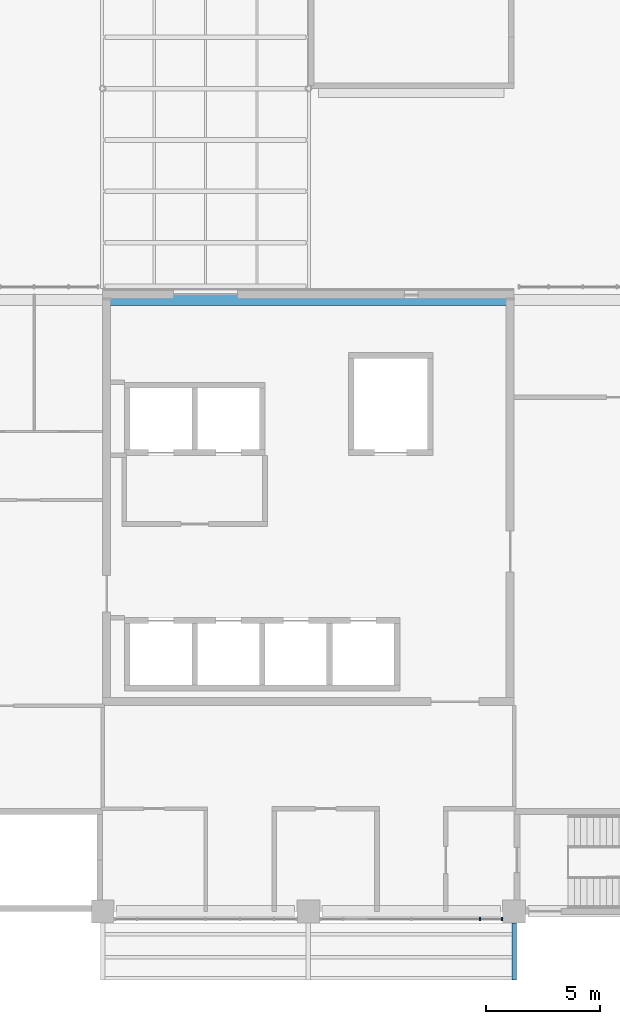
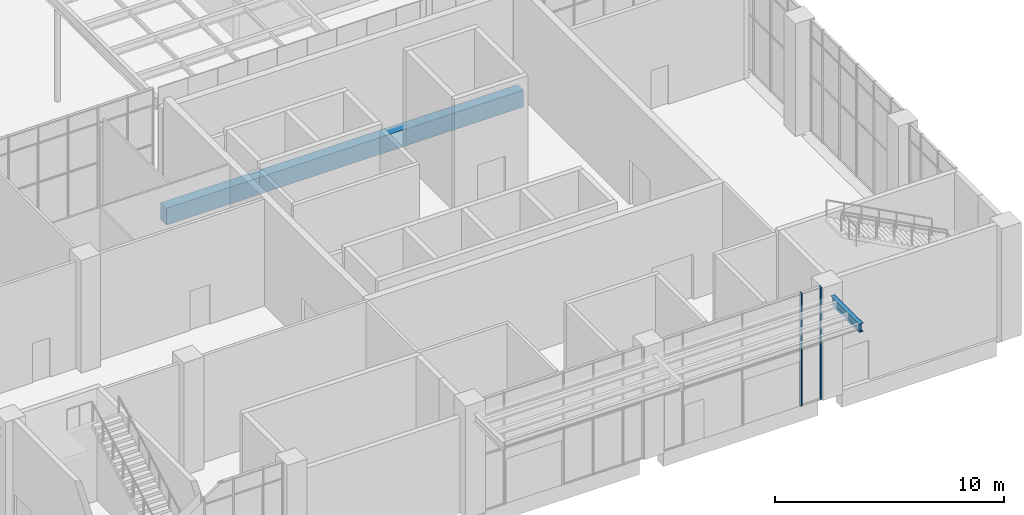
# One storey, part 28 of 86: 2 beams, 2 members, 1 element without a shape of its own.
"""IFC4 building model written with IfcOpenShell, lengths in metres."""

from ifc_helpers import new_model, si_unit, direction, frame, origin, origin_2d, place, context, subcontext, project, spatial, rectangle, i_section, extrude, material, layer, layer_set, material_profile, profile_set, type_object, element, aggregate, save


model = new_model("IFC4")

# Units and contexts
model_context = context("Model", 3, precision=1e-05, world=origin(), true_north=direction((0.0, 1.0)))
body_context = subcontext(model_context, "Body", "Model", "MODEL_VIEW")
ifc_project = project(units=[si_unit("LENGTHUNIT", "METRE"), si_unit("AREAUNIT", "SQUARE_METRE"), si_unit("VOLUMEUNIT", "CUBIC_METRE"), si_unit("PLANEANGLEUNIT", "RADIAN"), si_unit("MASSUNIT", "GRAM", prefix="KILO")], contexts=[model_context])

# Site, building, storey
site_placement = place(None, origin())
site = spatial("IfcSite", under=ifc_project, at=site_placement, CompositionType="ELEMENT")
building_placement = place(site_placement, origin())
building = spatial("IfcBuilding", under=site, at=building_placement, Name="Guidao Yard Department Store", CompositionType="ELEMENT")
storey_placement = place(building_placement, origin())
storey = spatial("IfcBuildingStorey", under=building, at=storey_placement, Name="L00", CompositionType="ELEMENT", Elevation=0.0)

# Beams
ifc_material_1 = material(Name="Concrete C40", Category="concrete")
ifc_material_profile_1 = material_profile(ifc_material_1, rectangle(XDim=0.5, YDim=0.89990234375, at=origin_2d()), Name="Edge beam 500 x 900 C40")
ifc_profile_set_1 = profile_set([ifc_material_profile_1], Name="Concrete C40")
beam_type_1 = type_object("IfcBeamType", Name="Edge beam 500 x 900 C40", PredefinedType="BEAM", material=ifc_profile_set_1)
beam_1_placement = place(storey_placement, frame((144.0, 26.75, -0.449951171875), z_axis=(1.0, 0.0, 0.0), x_axis=(0.0, 1.0, 0.0)))
element("IfcBeam", 1, at=beam_1_placement, inside=storey, type_object=beam_type_1, Name="Beam FB03", PredefinedType="BEAM", context=body_context, shape_type="SweptSolid", body=[
    extrude(rectangle(XDim=0.5, YDim=0.89990234375, at=origin_2d()), origin(), (0.0, 0.0, 1.0), 18.0),
])
ifc_material_2 = material(Name="Steel Q355B", Category="steel")
ifc_material_profile_2 = material_profile(ifc_material_2, i_section(OverallWidth=0.199951171875, OverallDepth=0.449951171875, WebThickness=0.009033203125, FlangeThickness=0.013916015625, FilletRadius=0.012939453125, at=origin_2d()), Name="HN 450x200x9x14")
ifc_profile_set_2 = profile_set([ifc_material_profile_2], Name="Steel Q355B")
beam_type_2 = type_object("IfcBeamType", Name="HN 450x200x9x14", PredefinedType="BEAM", material=ifc_profile_set_2)
beam_2_placement = place(storey_placement, frame((162.0, -0.5, 5.22509765625), z_axis=(0.0, -1.0, 0.0), x_axis=(1.0, 0.0, 0.0)))
element("IfcBeam", 2, at=beam_2_placement, inside=storey, type_object=beam_type_2, Name="Canopy beam OS-3", PredefinedType="BEAM", context=body_context, shape_type="SweptSolid", body=[
    extrude(i_section(OverallWidth=0.199951171875, OverallDepth=0.449951171875, WebThickness=0.009033203125, FlangeThickness=0.013916015625, FilletRadius=0.012939453125, at=origin_2d()), origin(), (0.0, 0.0, 1.0), 2.5),
])

# Curtain wall, members
ifc_material_3 = material(Name="Aluminium and glass", Category="aluminium")
ifc_layer = layer(ifc_material_3, 0.159912109375)
ifc_layer_set = layer_set([ifc_layer], Name="Unitised curtain wall CW4 1500 module")
curtain_wall_type = type_object("IfcCurtainWallType", Name="Unitised curtain wall CW4 1500 module", PredefinedType="NOTDEFINED", material=ifc_layer_set)
curtain_wall_placement = place(storey_placement, origin())
curtain_wall = element("IfcCurtainWall", 3, at=curtain_wall_placement, inside=storey, type_object=curtain_wall_type, Name="Unitised curtain wall", PredefinedType="NOTDEFINED")
ifc_material_4 = material(Name="Aluminium 6063-T5", Category="aluminium")
ifc_material_profile_3 = material_profile(ifc_material_4, rectangle(XDim=0.06005859375, YDim=0.159912109375, at=origin_2d()), Name="Mullion M1 60 x 160 aluminium pressure plate")
ifc_profile_set_3 = profile_set([ifc_material_profile_3], Name="Aluminium 6063-T5")
member_type = type_object("IfcMemberType", Name="Mullion M1 60 x 160 aluminium pressure plate", PredefinedType="MULLION", material=ifc_profile_set_3)
member_1_placement = place(storey_placement, frame((160.5, -0.330078125, 0.0), z_axis=(0.0, 0.0, 1.0), x_axis=(-1.0, 0.0, 0.0)))
member_1 = element("IfcMember", 4, at=member_1_placement, type_object=member_type, Name="CW-OW-L00-03 mullion 4", PredefinedType="MULLION", context=body_context, shape_type="SweptSolid", body=[
    extrude(rectangle(XDim=0.06005859375, YDim=0.159912109375, at=origin_2d()), origin(), (0.0, 0.0, 1.0), 6.0),
])
member_2_placement = place(storey_placement, frame((161.469970703125, -0.330078125, 0.0), z_axis=(0.0, 0.0, 1.0), x_axis=(-1.0, 0.0, 0.0)))
member_2 = element("IfcMember", 5, at=member_2_placement, type_object=member_type, Name="CW-OW-L00-03 mullion 5", PredefinedType="MULLION", context=body_context, shape_type="SweptSolid", body=[
    extrude(rectangle(XDim=0.06005859375, YDim=0.159912109375, at=origin_2d()), origin(), (0.0, 0.0, 1.0), 6.0),
])
aggregate(curtain_wall, [member_1, member_2])

save(model, "model.ifc")
